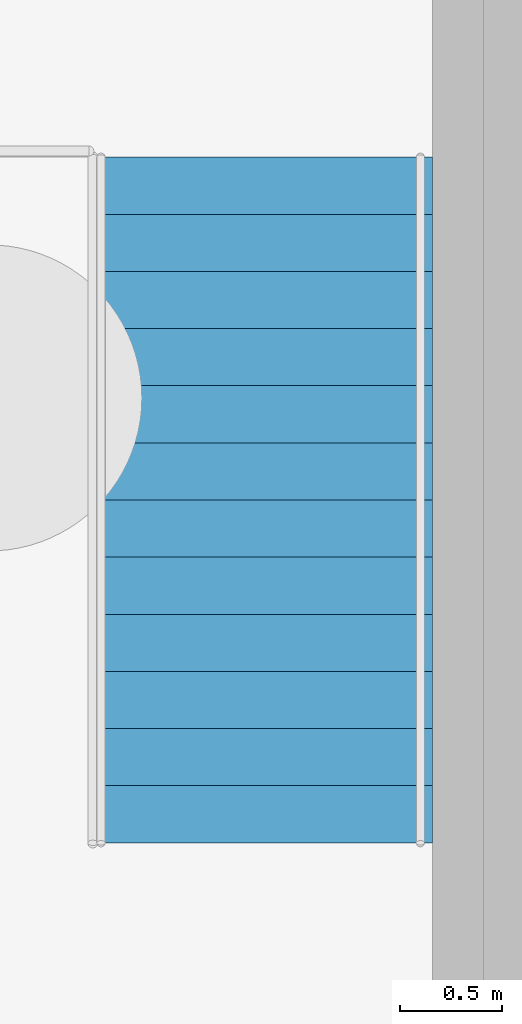
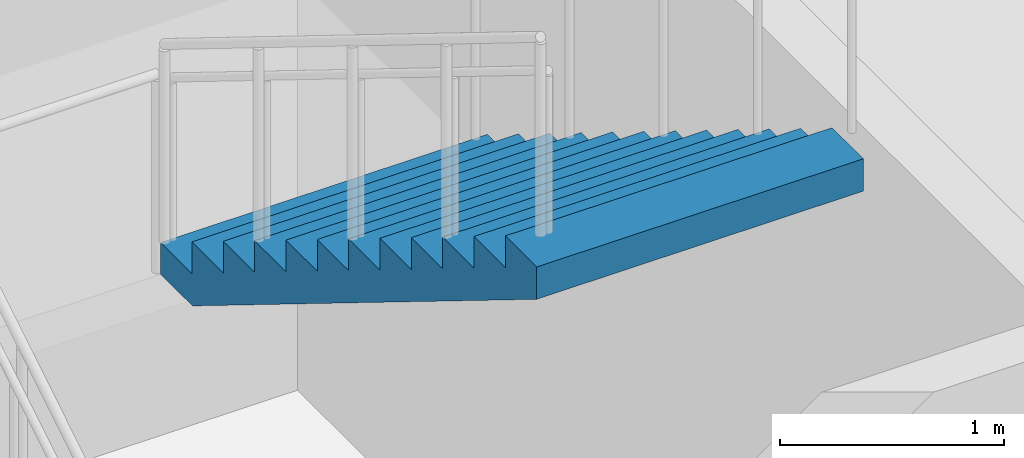
# One storey, part 14 of 28: 1 stair flight, 1 element without a shape of its own.
"""IFC4 building model written with IfcOpenShell, lengths in metres."""

from ifc_helpers import new_model, si_unit, direction, frame, origin, place, context, subcontext, project, spatial, triangles, material, type_object, element, aggregate, save


model = new_model("IFC4")

# Units and contexts
model_context = context("Model", 3, precision=1e-05, world=origin(), true_north=direction((0.0, 1.0)))
body_context = subcontext(model_context, "Body", "Model", "MODEL_VIEW")
ifc_project = project(units=[si_unit("LENGTHUNIT", "METRE"), si_unit("AREAUNIT", "SQUARE_METRE"), si_unit("VOLUMEUNIT", "CUBIC_METRE"), si_unit("PLANEANGLEUNIT", "RADIAN"), si_unit("MASSUNIT", "GRAM", prefix="KILO")], contexts=[model_context])

# Site, building, storey
site_placement = place(None, origin())
site = spatial("IfcSite", under=ifc_project, at=site_placement, CompositionType="ELEMENT")
building_placement = place(site_placement, origin())
building = spatial("IfcBuilding", under=site, at=building_placement, Name="Orbita Commons", CompositionType="ELEMENT")
storey_placement = place(building_placement, frame((0.0, 0.0, -9.0)))
storey = spatial("IfcBuildingStorey", under=building, at=storey_placement, Name="L-02", CompositionType="ELEMENT", Elevation=-9.0)

# Stair, stair flight
ifc_material_1 = material(Name="Precast concrete C40/50", Category="concrete")
stair_type = type_object("IfcStairType", Name="Podium exit stair 2 flights 13 risers 173", PredefinedType="HALF_TURN_STAIR", material=ifc_material_1)
stair_placement = place(storey_placement, origin())
stair = element("IfcStair", 1, at=stair_placement, inside=storey, type_object=stair_type, Name="Podium exit stair PS1 L-02", PredefinedType="HALF_TURN_STAIR")
ifc_material_2 = material(Name="Precast concrete C40/50", Category="concrete")
stair_flight_type = type_object("IfcStairFlightType", Name="Podium stair flight 13 risers 173 x 1685", PredefinedType="STRAIGHT", material=ifc_material_2)
stair_flight_placement = place(storey_placement, frame((10.4326171875, 33.179931640625, 2.25), z_axis=(0.0, 0.0, 1.0), x_axis=(0.0, -1.0, 0.0)))
stair_flight = element("IfcStairFlight", 2, at=stair_flight_placement, type_object=stair_flight_type, Name="PS1 flight 2", NumberOfRisers=13, NumberOfTreads=12, PredefinedType="STRAIGHT", RiserHeight=0.173076923, TreadLength=0.28, context=body_context, shape_type="Tessellation", body=[
    triangles([(0.0, 0.842529, 0.0), (0.0, 0.842529, 0.021635), (0.0, 0.702108, 0.021635), (0.0, 0.702108, 0.0), (0.0, 0.561686, 0.021635), (0.0, 0.561686, 0.0), (0.0, 0.421265, 0.021635), (0.0, 0.421265, 0.0), (0.0, 0.280843, 0.021635), (0.0, 0.280843, 0.0), (0.0, 0.140422, 0.021635), (0.0, 0.140422, 0.0), (0.0, 0.0, 0.021635), (0.0, 0.0, 0.0), (0.0, -0.140422, 0.021635), (0.0, -0.140422, 0.0), (0.0, -0.280843, 0.021635), (0.0, -0.280843, 0.0), (0.0, -0.421265, 0.021635), (0.0, -0.421265, 0.0), (0.0, -0.561686, 0.021635), (0.0, -0.561686, 0.0), (0.0, -0.702108, 0.021635), (0.0, -0.702108, 0.0), (0.0, -0.842529, 0.021635), (0.0, -0.842529, 0.0), (0.0, 0.842529, 0.043269), (0.0, 0.702108, 0.043269), (0.0, 0.561686, 0.043269), (0.0, 0.421265, 0.043269), (0.0, 0.280843, 0.043269), (0.0, 0.140422, 0.043269), (0.0, 0.0, 0.043269), (0.0, -0.140422, 0.043269), (0.0, -0.280843, 0.043269), (0.0, -0.421265, 0.043269), (0.0, -0.561686, 0.043269), (0.0, -0.702108, 0.043269), (0.0, -0.842529, 0.043269), (0.0, 0.842529, 0.064904), (0.0, 0.702108, 0.064904), (0.0, 0.561686, 0.064904), (0.0, 0.421265, 0.064904), (0.0, 0.280843, 0.064904), (0.0, 0.140422, 0.064904), (0.0, 0.0, 0.064904), (0.0, -0.140422, 0.064904), (0.0, -0.280843, 0.064904), (0.0, -0.421265, 0.064904), (0.0, -0.561686, 0.064904), (0.0, -0.702108, 0.064904), (0.0, -0.842529, 0.064904), (0.0, 0.842529, 0.086538), (0.0, 0.702108, 0.086538), (0.0, 0.561686, 0.086538), (0.0, 0.421265, 0.086538), (0.0, 0.280843, 0.086538), (0.0, 0.140422, 0.086538), (0.0, 0.0, 0.086538), (0.0, -0.140422, 0.086538), (0.0, -0.280843, 0.086538), (0.0, -0.421265, 0.086538), (0.0, -0.561686, 0.086538), (0.0, -0.702108, 0.086538), (0.0, -0.842529, 0.086538), (0.0, 0.842529, 0.108173), (0.0, 0.702108, 0.108173), (0.0, 0.561686, 0.108173), (0.0, 0.421265, 0.108173), (0.0, 0.280843, 0.108173), (0.0, 0.140422, 0.108173), (0.0, 0.0, 0.108173), (0.0, -0.140422, 0.108173), (0.0, -0.280843, 0.108173), (0.0, -0.421265, 0.108173), (0.0, -0.561686, 0.108173), (0.0, -0.702108, 0.108173), (0.0, -0.842529, 0.108173), (0.0, 0.842529, 0.129808), (0.0, 0.702108, 0.129808), (0.0, 0.561686, 0.129808), (0.0, 0.421265, 0.129808), (0.0, 0.280843, 0.129808), (0.0, 0.140422, 0.129808), (0.0, 0.0, 0.129808), (0.0, -0.140422, 0.129808), (0.0, -0.280843, 0.129808), (0.0, -0.421265, 0.129808), (0.0, -0.561686, 0.129808), (0.0, -0.702108, 0.129808), (0.0, -0.842529, 0.129808), (0.0, 0.842529, 0.151442), (0.0, 0.702108, 0.151442), (0.0, 0.561686, 0.151442), (0.0, 0.421265, 0.151442), (0.0, 0.280843, 0.151442), (0.0, 0.140422, 0.151442), (0.0, 0.0, 0.151442), (0.0, -0.140422, 0.151442), (0.0, -0.280843, 0.151442), (0.0, -0.421265, 0.151442), (0.0, -0.561686, 0.151442), (0.0, -0.702108, 0.151442), (0.0, -0.842529, 0.151442), (0.0, 0.842529, 0.173077), (0.0, 0.702108, 0.173077), (0.0, 0.561686, 0.173077), (0.0, 0.421265, 0.173077), (0.0, 0.280843, 0.173077), (0.0, 0.140422, 0.173077), (0.0, 0.0, 0.173077), (0.0, -0.140422, 0.173077), (0.0, -0.280843, 0.173077), (0.0, -0.421265, 0.173077), (0.0, -0.561686, 0.173077), (0.0, -0.702108, 0.173077), (0.0, -0.842529, 0.173077), (0.28, 0.842529, 0.173077), (0.28, 0.702108, 0.173077), (0.28, 0.561686, 0.173077), (0.28, 0.421265, 0.173077), (0.28, 0.280843, 0.173077), (0.28, 0.140422, 0.173077), (0.28, 0.0, 0.173077), (0.28, -0.140422, 0.173077), (0.28, -0.280843, 0.173077), (0.28, -0.421265, 0.173077), (0.28, -0.561686, 0.173077), (0.28, -0.702108, 0.173077), (0.28, -0.842529, 0.173077), (0.28, 0.842529, 0.346154), (0.28, 0.702108, 0.346154), (0.28, 0.561686, 0.346154), (0.28, 0.421265, 0.346154), (0.28, 0.280843, 0.346154), (0.28, 0.140422, 0.346154), (0.28, 0.0, 0.346154), (0.28, -0.140422, 0.346154), (0.28, -0.280843, 0.346154), (0.28, -0.421265, 0.346154), (0.28, -0.561686, 0.346154), (0.28, -0.702108, 0.346154), (0.28, -0.842529, 0.346154), (0.56, 0.842529, 0.346154), (0.56, 0.702108, 0.346154), (0.56, 0.561686, 0.346154), (0.56, 0.421265, 0.346154), (0.56, 0.280843, 0.346154), (0.56, 0.140422, 0.346154), (0.56, 0.0, 0.346154), (0.56, -0.140422, 0.346154), (0.56, -0.280843, 0.346154), (0.56, -0.421265, 0.346154), (0.56, -0.561686, 0.346154), (0.56, -0.702108, 0.346154), (0.56, -0.842529, 0.346154), (0.56, 0.842529, 0.519231), (0.56, 0.702108, 0.519231), (0.56, 0.561686, 0.519231), (0.56, 0.421265, 0.519231), (0.56, 0.280843, 0.519231), (0.56, 0.140422, 0.519231), (0.56, 0.0, 0.519231), (0.56, -0.140422, 0.519231), (0.56, -0.280843, 0.519231), (0.56, -0.421265, 0.519231), (0.56, -0.561686, 0.519231), (0.56, -0.702108, 0.519231), (0.56, -0.842529, 0.519231), (0.84, 0.842529, 0.519231), (0.84, 0.702108, 0.519231), (0.84, 0.561686, 0.519231), (0.84, 0.421265, 0.519231), (0.84, 0.280843, 0.519231), (0.84, 0.140422, 0.519231), (0.84, 0.0, 0.519231), (0.84, -0.140422, 0.519231), (0.84, -0.280843, 0.519231), (0.84, -0.421265, 0.519231), (0.84, -0.561686, 0.519231), (0.84, -0.702108, 0.519231), (0.84, -0.842529, 0.519231), (0.84, 0.842529, 0.692308), (0.84, 0.702108, 0.692308), (0.84, 0.561686, 0.692308), (0.84, 0.421265, 0.692308), (0.84, 0.280843, 0.692308), (0.84, 0.140422, 0.692308), (0.84, 0.0, 0.692308), (0.84, -0.140422, 0.692308), (0.84, -0.280843, 0.692308), (0.84, -0.421265, 0.692308), (0.84, -0.561686, 0.692308), (0.84, -0.702108, 0.692308), (0.84, -0.842529, 0.692308), (1.12, 0.842529, 0.692308), (1.12, 0.702108, 0.692308), (1.12, 0.561686, 0.692308), (1.12, 0.421265, 0.692308), (1.12, 0.280843, 0.692308), (1.12, 0.140422, 0.692308), (1.12, 0.0, 0.692308), (1.12, -0.140422, 0.692308), (1.12, -0.280843, 0.692308), (1.12, -0.421265, 0.692308), (1.12, -0.561686, 0.692308), (1.12, -0.702108, 0.692308), (1.12, -0.842529, 0.692308), (1.12, 0.842529, 0.865385), (1.12, 0.702108, 0.865385), (1.12, 0.561686, 0.865385), (1.12, 0.421265, 0.865385), (1.12, 0.280843, 0.865385), (1.12, 0.140422, 0.865385), (1.12, 0.0, 0.865385), (1.12, -0.140422, 0.865385), (1.12, -0.280843, 0.865385), (1.12, -0.421265, 0.865385), (1.12, -0.561686, 0.865385), (1.12, -0.702108, 0.865385), (1.12, -0.842529, 0.865385), (1.4, 0.842529, 0.865385), (1.4, 0.702108, 0.865385), (1.4, 0.561686, 0.865385), (1.4, 0.421265, 0.865385), (1.4, 0.280843, 0.865385), (1.4, 0.140422, 0.865385), (1.4, 0.0, 0.865385), (1.4, -0.140422, 0.865385), (1.4, -0.280843, 0.865385), (1.4, -0.421265, 0.865385), (1.4, -0.561686, 0.865385), (1.4, -0.702108, 0.865385), (1.4, -0.842529, 0.865385), (1.4, 0.842529, 1.038462), (1.4, 0.702108, 1.038462), (1.4, 0.561686, 1.038462), (1.4, 0.421265, 1.038462), (1.4, 0.280843, 1.038462), (1.4, 0.140422, 1.038462), (1.4, 0.0, 1.038462), (1.4, -0.140422, 1.038462), (1.4, -0.280843, 1.038462), (1.4, -0.421265, 1.038462), (1.4, -0.561686, 1.038462), (1.4, -0.702108, 1.038462), (1.4, -0.842529, 1.038462), (1.68, 0.842529, 1.038462), (1.68, 0.702108, 1.038462), (1.68, 0.561686, 1.038462), (1.68, 0.421265, 1.038462), (1.68, 0.280843, 1.038462), (1.68, 0.140422, 1.038462), (1.68, 0.0, 1.038462), (1.68, -0.140422, 1.038462), (1.68, -0.280843, 1.038462), (1.68, -0.421265, 1.038462), (1.68, -0.561686, 1.038462), (1.68, -0.702108, 1.038462), (1.68, -0.842529, 1.038462), (1.68, 0.842529, 1.211538), (1.68, 0.702108, 1.211538), (1.68, 0.561686, 1.211538), (1.68, 0.421265, 1.211538), (1.68, 0.280843, 1.211538), (1.68, 0.140422, 1.211538), (1.68, 0.0, 1.211538), (1.68, -0.140422, 1.211538), (1.68, -0.280843, 1.211538), (1.68, -0.421265, 1.211538), (1.68, -0.561686, 1.211538), (1.68, -0.702108, 1.211538), (1.68, -0.842529, 1.211538), (1.96, 0.842529, 1.211538), (1.96, 0.702108, 1.211538), (1.96, 0.561686, 1.211538), (1.96, 0.421265, 1.211538), (1.96, 0.280843, 1.211538), (1.96, 0.140422, 1.211538), (1.96, 0.0, 1.211538), (1.96, -0.140422, 1.211538), (1.96, -0.280843, 1.211538), (1.96, -0.421265, 1.211538), (1.96, -0.561686, 1.211538), (1.96, -0.702108, 1.211538), (1.96, -0.842529, 1.211538), (1.96, 0.842529, 1.384615), (1.96, 0.702108, 1.384615), (1.96, 0.561686, 1.384615), (1.96, 0.421265, 1.384615), (1.96, 0.280843, 1.384615), (1.96, 0.140422, 1.384615), (1.96, 0.0, 1.384615), (1.96, -0.140422, 1.384615), (1.96, -0.280843, 1.384615), (1.96, -0.421265, 1.384615), (1.96, -0.561686, 1.384615), (1.96, -0.702108, 1.384615), (1.96, -0.842529, 1.384615), (2.24, 0.842529, 1.384615), (2.24, 0.702108, 1.384615), (2.24, 0.561686, 1.384615), (2.24, 0.421265, 1.384615), (2.24, 0.280843, 1.384615), (2.24, 0.140422, 1.384615), (2.24, 0.0, 1.384615), (2.24, -0.140422, 1.384615), (2.24, -0.280843, 1.384615), (2.24, -0.421265, 1.384615), (2.24, -0.561686, 1.384615), (2.24, -0.702108, 1.384615), (2.24, -0.842529, 1.384615), (2.24, 0.842529, 1.557692), (2.24, 0.702108, 1.557692), (2.24, 0.561686, 1.557692), (2.24, 0.421265, 1.557692), (2.24, 0.280843, 1.557692), (2.24, 0.140422, 1.557692), (2.24, 0.0, 1.557692), (2.24, -0.140422, 1.557692), (2.24, -0.280843, 1.557692), (2.24, -0.421265, 1.557692), (2.24, -0.561686, 1.557692), (2.24, -0.702108, 1.557692), (2.24, -0.842529, 1.557692), (2.52, 0.842529, 1.557692), (2.52, 0.702108, 1.557692), (2.52, 0.561686, 1.557692), (2.52, 0.421265, 1.557692), (2.52, 0.280843, 1.557692), (2.52, 0.140422, 1.557692), (2.52, 0.0, 1.557692), (2.52, -0.140422, 1.557692), (2.52, -0.280843, 1.557692), (2.52, -0.421265, 1.557692), (2.52, -0.561686, 1.557692), (2.52, -0.702108, 1.557692), (2.52, -0.842529, 1.557692), (2.52, 0.842529, 1.730769), (2.52, 0.702108, 1.730769), (2.52, 0.561686, 1.730769), (2.52, 0.421265, 1.730769), (2.52, 0.280843, 1.730769), (2.52, 0.140422, 1.730769), (2.52, 0.0, 1.730769), (2.52, -0.140422, 1.730769), (2.52, -0.280843, 1.730769), (2.52, -0.421265, 1.730769), (2.52, -0.561686, 1.730769), (2.52, -0.702108, 1.730769), (2.52, -0.842529, 1.730769), (2.8, 0.842529, 1.730769), (2.8, 0.702108, 1.730769), (2.8, 0.561686, 1.730769), (2.8, 0.421265, 1.730769), (2.8, 0.280843, 1.730769), (2.8, 0.140422, 1.730769), (2.8, 0.0, 1.730769), (2.8, -0.140422, 1.730769), (2.8, -0.280843, 1.730769), (2.8, -0.421265, 1.730769), (2.8, -0.561686, 1.730769), (2.8, -0.702108, 1.730769), (2.8, -0.842529, 1.730769), (2.8, 0.842529, 1.903846), (2.8, 0.702108, 1.903846), (2.8, 0.561686, 1.903846), (2.8, 0.421265, 1.903846), (2.8, 0.280843, 1.903846), (2.8, 0.140422, 1.903846), (2.8, 0.0, 1.903846), (2.8, -0.140422, 1.903846), (2.8, -0.280843, 1.903846), (2.8, -0.421265, 1.903846), (2.8, -0.561686, 1.903846), (2.8, -0.702108, 1.903846), (2.8, -0.842529, 1.903846), (3.08, 0.842529, 1.903846), (3.08, 0.702108, 1.903846), (3.08, 0.561686, 1.903846), (3.08, 0.421265, 1.903846), (3.08, 0.280843, 1.903846), (3.08, 0.140422, 1.903846), (3.08, 0.0, 1.903846), (3.08, -0.140422, 1.903846), (3.08, -0.280843, 1.903846), (3.08, -0.421265, 1.903846), (3.08, -0.561686, 1.903846), (3.08, -0.702108, 1.903846), (3.08, -0.842529, 1.903846), (3.08, 0.842529, 2.076923), (3.08, 0.702108, 2.076923), (3.08, 0.561686, 2.076923), (3.08, 0.421265, 2.076923), (3.08, 0.280843, 2.076923), (3.08, 0.140422, 2.076923), (3.08, 0.0, 2.076923), (3.08, -0.140422, 2.076923), (3.08, -0.280843, 2.076923), (3.08, -0.421265, 2.076923), (3.08, -0.561686, 2.076923), (3.08, -0.702108, 2.076923), (3.08, -0.842529, 2.076923), (3.36, 0.842529, 2.076923), (3.36, 0.702108, 2.076923), (3.36, 0.561686, 2.076923), (3.36, 0.421265, 2.076923), (3.36, 0.280843, 2.076923), (3.36, 0.140422, 2.076923), (3.36, 0.0, 2.076923), (3.36, -0.140422, 2.076923), (3.36, -0.280843, 2.076923), (3.36, -0.421265, 2.076923), (3.36, -0.561686, 2.076923), (3.36, -0.702108, 2.076923), (3.36, -0.842529, 2.076923), (3.36, 0.842529, 2.054895), (3.36, 0.702108, 2.054895), (3.36, 0.561686, 2.054895), (3.36, 0.421265, 2.054895), (3.36, 0.280843, 2.054895), (3.36, 0.140422, 2.054895), (3.36, 0.0, 2.054895), (3.36, -0.140422, 2.054895), (3.36, -0.280843, 2.054895), (3.36, -0.421265, 2.054895), (3.36, -0.561686, 2.054895), (3.36, -0.702108, 2.054895), (3.36, -0.842529, 2.054895), (3.36, 0.842529, 2.032866), (3.36, 0.702108, 2.032866), (3.36, 0.561686, 2.032866), (3.36, 0.421265, 2.032866), (3.36, 0.280843, 2.032866), (3.36, 0.140422, 2.032866), (3.36, 0.0, 2.032866), (3.36, -0.140422, 2.032866), (3.36, -0.280843, 2.032866), (3.36, -0.421265, 2.032866), (3.36, -0.561686, 2.032866), (3.36, -0.702108, 2.032866), (3.36, -0.842529, 2.032866), (3.36, 0.842529, 2.010837), (3.36, 0.702108, 2.010837), (3.36, 0.561686, 2.010837), (3.36, 0.421265, 2.010837), (3.36, 0.280843, 2.010837), (3.36, 0.140422, 2.010837), (3.36, 0.0, 2.010837), (3.36, -0.140422, 2.010837), (3.36, -0.280843, 2.010837), (3.36, -0.421265, 2.010837), (3.36, -0.561686, 2.010837), (3.36, -0.702108, 2.010837), (3.36, -0.842529, 2.010837), (3.36, 0.842529, 1.988809), (3.36, 0.702108, 1.988809), (3.36, 0.561686, 1.988809), (3.36, 0.421265, 1.988809), (3.36, 0.280843, 1.988809), (3.36, 0.140422, 1.988809), (3.36, 0.0, 1.988809), (3.36, -0.140422, 1.988809), (3.36, -0.280843, 1.988809), (3.36, -0.421265, 1.988809), (3.36, -0.561686, 1.988809), (3.36, -0.702108, 1.988809), (3.36, -0.842529, 1.988809), (3.36, 0.842529, 1.96678), (3.36, 0.702108, 1.96678), (3.36, 0.561686, 1.96678), (3.36, 0.421265, 1.96678), (3.36, 0.280843, 1.96678), (3.36, 0.140422, 1.96678), (3.36, 0.0, 1.96678), (3.36, -0.140422, 1.96678), (3.36, -0.280843, 1.96678), (3.36, -0.421265, 1.96678), (3.36, -0.561686, 1.96678), (3.36, -0.702108, 1.96678), (3.36, -0.842529, 1.96678), (3.36, 0.842529, 1.944752), (3.36, 0.702108, 1.944752), (3.36, 0.561686, 1.944752), (3.36, 0.421265, 1.944752), (3.36, 0.280843, 1.944752), (3.36, 0.140422, 1.944752), (3.36, 0.0, 1.944752), (3.36, -0.140422, 1.944752), (3.36, -0.280843, 1.944752), (3.36, -0.421265, 1.944752), (3.36, -0.561686, 1.944752), (3.36, -0.702108, 1.944752), (3.36, -0.842529, 1.944752), (3.36, 0.842529, 1.922723), (3.36, 0.702108, 1.922723), (3.36, 0.561686, 1.922723), (3.36, 0.421265, 1.922723), (3.36, 0.280843, 1.922723), (3.36, 0.140422, 1.922723), (3.36, 0.0, 1.922723), (3.36, -0.140422, 1.922723), (3.36, -0.280843, 1.922723), (3.36, -0.421265, 1.922723), (3.36, -0.561686, 1.922723), (3.36, -0.702108, 1.922723), (3.36, -0.842529, 1.922723), (3.36, 0.842529, 1.900695), (3.36, 0.702108, 1.900695), (3.36, 0.561686, 1.900695), (3.36, 0.421265, 1.900695), (3.36, 0.280843, 1.900695), (3.36, 0.140422, 1.900695), (3.36, 0.0, 1.900695), (3.36, -0.140422, 1.900695), (3.36, -0.280843, 1.900695), (3.36, -0.421265, 1.900695), (3.36, -0.561686, 1.900695), (3.36, -0.702108, 1.900695), (3.36, -0.842529, 1.900695), (0.285099, 0.842529, 0.0), (0.285099, 0.702108, 0.0), (0.285099, 0.561686, 0.0), (0.285099, 0.421265, 0.0), (0.285099, 0.280843, 0.0), (0.285099, 0.140422, 0.0), (0.285099, 0.0, 0.0), (0.285099, -0.140422, 0.0), (0.285099, -0.280843, 0.0), (0.285099, -0.421265, 0.0), (0.285099, -0.561686, 0.0), (0.285099, -0.702108, 0.0), (0.285099, -0.842529, 0.0)], [[3, 2, 1], [4, 3, 1], [5, 3, 4], [6, 5, 4], [7, 5, 6], [8, 7, 6], [9, 7, 8], [10, 9, 8], [11, 9, 10], [12, 11, 10], [13, 11, 12], [14, 13, 12], [15, 13, 14], [16, 15, 14], [17, 15, 16], [18, 17, 16], [19, 17, 18], [20, 19, 18], [21, 19, 20], [22, 21, 20], [23, 21, 22], [24, 23, 22], [25, 23, 24], [26, 25, 24], [28, 27, 2], [3, 28, 2], [29, 28, 3], [5, 29, 3], [30, 29, 5], [7, 30, 5], [31, 30, 7], [9, 31, 7], [32, 31, 9], [11, 32, 9], [33, 32, 11], [13, 33, 11], [34, 33, 13], [15, 34, 13], [35, 34, 15], [17, 35, 15], [36, 35, 17], [19, 36, 17], [37, 36, 19], [21, 37, 19], [38, 37, 21], [23, 38, 21], [39, 38, 23], [25, 39, 23], [41, 40, 27], [28, 41, 27], [42, 41, 28], [29, 42, 28], [43, 42, 29], [30, 43, 29], [44, 43, 30], [31, 44, 30], [45, 44, 31], [32, 45, 31], [46, 45, 32], [33, 46, 32], [47, 46, 33], [34, 47, 33], [48, 47, 34], [35, 48, 34], [49, 48, 35], [36, 49, 35], [50, 49, 36], [37, 50, 36], [51, 50, 37], [38, 51, 37], [52, 51, 38], [39, 52, 38], [54, 53, 40], [41, 54, 40], [55, 54, 41], [42, 55, 41], [56, 55, 42], [43, 56, 42], [57, 56, 43], [44, 57, 43], [58, 57, 44], [45, 58, 44], [59, 58, 45], [46, 59, 45], [60, 59, 46], [47, 60, 46], [61, 60, 47], [48, 61, 47], [62, 61, 48], [49, 62, 48], [63, 62, 49], [50, 63, 49], [64, 63, 50], [51, 64, 50], [65, 64, 51], [52, 65, 51], [67, 66, 53], [54, 67, 53], [68, 67, 54], [55, 68, 54], [69, 68, 55], [56, 69, 55], [70, 69, 56], [57, 70, 56], [71, 70, 57], [58, 71, 57], [72, 71, 58], [59, 72, 58], [73, 72, 59], [60, 73, 59], [74, 73, 60], [61, 74, 60], [75, 74, 61], [62, 75, 61], [76, 75, 62], [63, 76, 62], [77, 76, 63], [64, 77, 63], [78, 77, 64], [65, 78, 64], [80, 79, 66], [67, 80, 66], [81, 80, 67], [68, 81, 67], [82, 81, 68], [69, 82, 68], [83, 82, 69], [70, 83, 69], [84, 83, 70], [71, 84, 70], [85, 84, 71], [72, 85, 71], [86, 85, 72], [73, 86, 72], [87, 86, 73], [74, 87, 73], [88, 87, 74], [75, 88, 74], [89, 88, 75], [76, 89, 75], [90, 89, 76], [77, 90, 76], [91, 90, 77], [78, 91, 77], [93, 92, 79], [80, 93, 79], [94, 93, 80], [81, 94, 80], [95, 94, 81], [82, 95, 81], [96, 95, 82], [83, 96, 82], [97, 96, 83], [84, 97, 83], [98, 97, 84], [85, 98, 84], [99, 98, 85], [86, 99, 85], [100, 99, 86], [87, 100, 86], [101, 100, 87], [88, 101, 87], [102, 101, 88], [89, 102, 88], [103, 102, 89], [90, 103, 89], [104, 103, 90], [91, 104, 90], [106, 105, 92], [93, 106, 92], [107, 106, 93], [94, 107, 93], [108, 107, 94], [95, 108, 94], [109, 108, 95], [96, 109, 95], [110, 109, 96], [97, 110, 96], [111, 110, 97], [98, 111, 97], [112, 111, 98], [99, 112, 98], [113, 112, 99], [100, 113, 99], [114, 113, 100], [101, 114, 100], [115, 114, 101], [102, 115, 101], [116, 115, 102], [103, 116, 102], [117, 116, 103], [104, 117, 103], [119, 118, 105], [106, 119, 105], [120, 119, 106], [107, 120, 106], [121, 120, 107], [108, 121, 107], [122, 121, 108], [109, 122, 108], [123, 122, 109], [110, 123, 109], [124, 123, 110], [111, 124, 110], [125, 124, 111], [112, 125, 111], [126, 125, 112], [113, 126, 112], [127, 126, 113], [114, 127, 113], [128, 127, 114], [115, 128, 114], [129, 128, 115], [116, 129, 115], [130, 129, 116], [117, 130, 116], [132, 131, 118], [119, 132, 118], [133, 132, 119], [120, 133, 119], [134, 133, 120], [121, 134, 120], [135, 134, 121], [122, 135, 121], [136, 135, 122], [123, 136, 122], [137, 136, 123], [124, 137, 123], [138, 137, 124], [125, 138, 124], [139, 138, 125], [126, 139, 125], [140, 139, 126], [127, 140, 126], [141, 140, 127], [128, 141, 127], [142, 141, 128], [129, 142, 128], [143, 142, 129], [130, 143, 129], [145, 144, 131], [132, 145, 131], [146, 145, 132], [133, 146, 132], [147, 146, 133], [134, 147, 133], [148, 147, 134], [135, 148, 134], [149, 148, 135], [136, 149, 135], [150, 149, 136], [137, 150, 136], [151, 150, 137], [138, 151, 137], [152, 151, 138], [139, 152, 138], [153, 152, 139], [140, 153, 139], [154, 153, 140], [141, 154, 140], [155, 154, 141], [142, 155, 141], [156, 155, 142], [143, 156, 142], [158, 157, 144], [145, 158, 144], [159, 158, 145], [146, 159, 145], [160, 159, 146], [147, 160, 146], [161, 160, 147], [148, 161, 147], [162, 161, 148], [149, 162, 148], [163, 162, 149], [150, 163, 149], [164, 163, 150], [151, 164, 150], [165, 164, 151], [152, 165, 151], [166, 165, 152], [153, 166, 152], [167, 166, 153], [154, 167, 153], [168, 167, 154], [155, 168, 154], [169, 168, 155], [156, 169, 155], [171, 170, 157], [158, 171, 157], [172, 171, 158], [159, 172, 158], [173, 172, 159], [160, 173, 159], [174, 173, 160], [161, 174, 160], [175, 174, 161], [162, 175, 161], [176, 175, 162], [163, 176, 162], [177, 176, 163], [164, 177, 163], [178, 177, 164], [165, 178, 164], [179, 178, 165], [166, 179, 165], [180, 179, 166], [167, 180, 166], [181, 180, 167], [168, 181, 167], [182, 181, 168], [169, 182, 168], [184, 183, 170], [171, 184, 170], [185, 184, 171], [172, 185, 171], [186, 185, 172], [173, 186, 172], [187, 186, 173], [174, 187, 173], [188, 187, 174], [175, 188, 174], [189, 188, 175], [176, 189, 175], [190, 189, 176], [177, 190, 176], [191, 190, 177], [178, 191, 177], [192, 191, 178], [179, 192, 178], [193, 192, 179], [180, 193, 179], [194, 193, 180], [181, 194, 180], [195, 194, 181], [182, 195, 181], [197, 196, 183], [184, 197, 183], [198, 197, 184], [185, 198, 184], [199, 198, 185], [186, 199, 185], [200, 199, 186], [187, 200, 186], [201, 200, 187], [188, 201, 187], [202, 201, 188], [189, 202, 188], [203, 202, 189], [190, 203, 189], [204, 203, 190], [191, 204, 190], [205, 204, 191], [192, 205, 191], [206, 205, 192], [193, 206, 192], [207, 206, 193], [194, 207, 193], [208, 207, 194], [195, 208, 194], [210, 209, 196], [197, 210, 196], [211, 210, 197], [198, 211, 197], [212, 211, 198], [199, 212, 198], [213, 212, 199], [200, 213, 199], [214, 213, 200], [201, 214, 200], [215, 214, 201], [202, 215, 201], [216, 215, 202], [203, 216, 202], [217, 216, 203], [204, 217, 203], [218, 217, 204], [205, 218, 204], [219, 218, 205], [206, 219, 205], [220, 219, 206], [207, 220, 206], [221, 220, 207], [208, 221, 207], [223, 222, 209], [210, 223, 209], [224, 223, 210], [211, 224, 210], [225, 224, 211], [212, 225, 211], [226, 225, 212], [213, 226, 212], [227, 226, 213], [214, 227, 213], [228, 227, 214], [215, 228, 214], [229, 228, 215], [216, 229, 215], [230, 229, 216], [217, 230, 216], [231, 230, 217], [218, 231, 217], [232, 231, 218], [219, 232, 218], [233, 232, 219], [220, 233, 219], [234, 233, 220], [221, 234, 220], [236, 235, 222], [223, 236, 222], [237, 236, 223], [224, 237, 223], [238, 237, 224], [225, 238, 224], [239, 238, 225], [226, 239, 225], [240, 239, 226], [227, 240, 226], [241, 240, 227], [228, 241, 227], [242, 241, 228], [229, 242, 228], [243, 242, 229], [230, 243, 229], [244, 243, 230], [231, 244, 230], [245, 244, 231], [232, 245, 231], [246, 245, 232], [233, 246, 232], [247, 246, 233], [234, 247, 233], [249, 248, 235], [236, 249, 235], [250, 249, 236], [237, 250, 236], [251, 250, 237], [238, 251, 237], [252, 251, 238], [239, 252, 238], [253, 252, 239], [240, 253, 239], [254, 253, 240], [241, 254, 240], [255, 254, 241], [242, 255, 241], [256, 255, 242], [243, 256, 242], [257, 256, 243], [244, 257, 243], [258, 257, 244], [245, 258, 244], [259, 258, 245], [246, 259, 245], [260, 259, 246], [247, 260, 246], [262, 261, 248], [249, 262, 248], [263, 262, 249], [250, 263, 249], [264, 263, 250], [251, 264, 250], [265, 264, 251], [252, 265, 251], [266, 265, 252], [253, 266, 252], [267, 266, 253], [254, 267, 253], [268, 267, 254], [255, 268, 254], [269, 268, 255], [256, 269, 255], [270, 269, 256], [257, 270, 256], [271, 270, 257], [258, 271, 257], [272, 271, 258], [259, 272, 258], [273, 272, 259], [260, 273, 259], [275, 274, 261], [262, 275, 261], [276, 275, 262], [263, 276, 262], [277, 276, 263], [264, 277, 263], [278, 277, 264], [265, 278, 264], [279, 278, 265], [266, 279, 265], [280, 279, 266], [267, 280, 266], [281, 280, 267], [268, 281, 267], [282, 281, 268], [269, 282, 268], [283, 282, 269], [270, 283, 269], [284, 283, 270], [271, 284, 270], [285, 284, 271], [272, 285, 271], [286, 285, 272], [273, 286, 272], [288, 287, 274], [275, 288, 274], [289, 288, 275], [276, 289, 275], [290, 289, 276], [277, 290, 276], [291, 290, 277], [278, 291, 277], [292, 291, 278], [279, 292, 278], [293, 292, 279], [280, 293, 279], [294, 293, 280], [281, 294, 280], [295, 294, 281], [282, 295, 281], [296, 295, 282], [283, 296, 282], [297, 296, 283], [284, 297, 283], [298, 297, 284], [285, 298, 284], [299, 298, 285], [286, 299, 285], [301, 300, 287], [288, 301, 287], [302, 301, 288], [289, 302, 288], [303, 302, 289], [290, 303, 289], [304, 303, 290], [291, 304, 290], [305, 304, 291], [292, 305, 291], [306, 305, 292], [293, 306, 292], [307, 306, 293], [294, 307, 293], [308, 307, 294], [295, 308, 294], [309, 308, 295], [296, 309, 295], [310, 309, 296], [297, 310, 296], [311, 310, 297], [298, 311, 297], [312, 311, 298], [299, 312, 298], [314, 313, 300], [301, 314, 300], [315, 314, 301], [302, 315, 301], [316, 315, 302], [303, 316, 302], [317, 316, 303], [304, 317, 303], [318, 317, 304], [305, 318, 304], [319, 318, 305], [306, 319, 305], [320, 319, 306], [307, 320, 306], [321, 320, 307], [308, 321, 307], [322, 321, 308], [309, 322, 308], [323, 322, 309], [310, 323, 309], [324, 323, 310], [311, 324, 310], [325, 324, 311], [312, 325, 311], [327, 326, 313], [314, 327, 313], [328, 327, 314], [315, 328, 314], [329, 328, 315], [316, 329, 315], [330, 329, 316], [317, 330, 316], [331, 330, 317], [318, 331, 317], [332, 331, 318], [319, 332, 318], [333, 332, 319], [320, 333, 319], [334, 333, 320], [321, 334, 320], [335, 334, 321], [322, 335, 321], [336, 335, 322], [323, 336, 322], [337, 336, 323], [324, 337, 323], [338, 337, 324], [325, 338, 324], [340, 339, 326], [327, 340, 326], [341, 340, 327], [328, 341, 327], [342, 341, 328], [329, 342, 328], [343, 342, 329], [330, 343, 329], [344, 343, 330], [331, 344, 330], [345, 344, 331], [332, 345, 331], [346, 345, 332], [333, 346, 332], [347, 346, 333], [334, 347, 333], [348, 347, 334], [335, 348, 334], [349, 348, 335], [336, 349, 335], [350, 349, 336], [337, 350, 336], [351, 350, 337], [338, 351, 337], [353, 352, 339], [340, 353, 339], [354, 353, 340], [341, 354, 340], [355, 354, 341], [342, 355, 341], [356, 355, 342], [343, 356, 342], [357, 356, 343], [344, 357, 343], [358, 357, 344], [345, 358, 344], [359, 358, 345], [346, 359, 345], [360, 359, 346], [347, 360, 346], [361, 360, 347], [348, 361, 347], [362, 361, 348], [349, 362, 348], [363, 362, 349], [350, 363, 349], [364, 363, 350], [351, 364, 350], [366, 365, 352], [353, 366, 352], [367, 366, 353], [354, 367, 353], [368, 367, 354], [355, 368, 354], [369, 368, 355], [356, 369, 355], [370, 369, 356], [357, 370, 356], [371, 370, 357], [358, 371, 357], [372, 371, 358], [359, 372, 358], [373, 372, 359], [360, 373, 359], [374, 373, 360], [361, 374, 360], [375, 374, 361], [362, 375, 361], [376, 375, 362], [363, 376, 362], [377, 376, 363], [364, 377, 363], [379, 378, 365], [366, 379, 365], [380, 379, 366], [367, 380, 366], [381, 380, 367], [368, 381, 367], [382, 381, 368], [369, 382, 368], [383, 382, 369], [370, 383, 369], [384, 383, 370], [371, 384, 370], [385, 384, 371], [372, 385, 371], [386, 385, 372], [373, 386, 372], [387, 386, 373], [374, 387, 373], [388, 387, 374], [375, 388, 374], [389, 388, 375], [376, 389, 375], [390, 389, 376], [377, 390, 376], [392, 391, 378], [379, 392, 378], [393, 392, 379], [380, 393, 379], [394, 393, 380], [381, 394, 380], [395, 394, 381], [382, 395, 381], [396, 395, 382], [383, 396, 382], [397, 396, 383], [384, 397, 383], [398, 397, 384], [385, 398, 384], [399, 398, 385], [386, 399, 385], [400, 399, 386], [387, 400, 386], [401, 400, 387], [388, 401, 387], [402, 401, 388], [389, 402, 388], [403, 402, 389], [390, 403, 389], [405, 404, 391], [392, 405, 391], [406, 405, 392], [393, 406, 392], [407, 406, 393], [394, 407, 393], [408, 407, 394], [395, 408, 394], [409, 408, 395], [396, 409, 395], [410, 409, 396], [397, 410, 396], [411, 410, 397], [398, 411, 397], [412, 411, 398], [399, 412, 398], [413, 412, 399], [400, 413, 399], [414, 413, 400], [401, 414, 400], [415, 414, 401], [402, 415, 401], [416, 415, 402], [403, 416, 402], [418, 417, 404], [405, 418, 404], [419, 418, 405], [406, 419, 405], [420, 419, 406], [407, 420, 406], [421, 420, 407], [408, 421, 407], [422, 421, 408], [409, 422, 408], [423, 422, 409], [410, 423, 409], [424, 423, 410], [411, 424, 410], [425, 424, 411], [412, 425, 411], [426, 425, 412], [413, 426, 412], [427, 426, 413], [414, 427, 413], [428, 427, 414], [415, 428, 414], [429, 428, 415], [416, 429, 415], [431, 430, 417], [418, 431, 417], [432, 431, 418], [419, 432, 418], [433, 432, 419], [420, 433, 419], [434, 433, 420], [421, 434, 420], [435, 434, 421], [422, 435, 421], [436, 435, 422], [423, 436, 422], [437, 436, 423], [424, 437, 423], [438, 437, 424], [425, 438, 424], [439, 438, 425], [426, 439, 425], [440, 439, 426], [427, 440, 426], [441, 440, 427], [428, 441, 427], [442, 441, 428], [429, 442, 428], [444, 443, 430], [431, 444, 430], [445, 444, 431], [432, 445, 431], [446, 445, 432], [433, 446, 432], [447, 446, 433], [434, 447, 433], [448, 447, 434], [435, 448, 434], [449, 448, 435], [436, 449, 435], [450, 449, 436], [437, 450, 436], [451, 450, 437], [438, 451, 437], [452, 451, 438], [439, 452, 438], [453, 452, 439], [440, 453, 439], [454, 453, 440], [441, 454, 440], [455, 454, 441], [442, 455, 441], [457, 456, 443], [444, 457, 443], [458, 457, 444], [445, 458, 444], [459, 458, 445], [446, 459, 445], [460, 459, 446], [447, 460, 446], [461, 460, 447], [448, 461, 447], [462, 461, 448], [449, 462, 448], [463, 462, 449], [450, 463, 449], [464, 463, 450], [451, 464, 450], [465, 464, 451], [452, 465, 451], [466, 465, 452], [453, 466, 452], [467, 466, 453], [454, 467, 453], [468, 467, 454], [455, 468, 454], [470, 469, 456], [457, 470, 456], [471, 470, 457], [458, 471, 457], [472, 471, 458], [459, 472, 458], [473, 472, 459], [460, 473, 459], [474, 473, 460], [461, 474, 460], [475, 474, 461], [462, 475, 461], [476, 475, 462], [463, 476, 462], [477, 476, 463], [464, 477, 463], [478, 477, 464], [465, 478, 464], [479, 478, 465], [466, 479, 465], [480, 479, 466], [467, 480, 466], [481, 480, 467], [468, 481, 467], [483, 482, 469], [470, 483, 469], [484, 483, 470], [471, 484, 470], [485, 484, 471], [472, 485, 471], [486, 485, 472], [473, 486, 472], [487, 486, 473], [474, 487, 473], [488, 487, 474], [475, 488, 474], [489, 488, 475], [476, 489, 475], [490, 489, 476], [477, 490, 476], [491, 490, 477], [478, 491, 477], [492, 491, 478], [479, 492, 478], [493, 492, 479], [480, 493, 479], [494, 493, 480], [481, 494, 480], [496, 495, 482], [483, 496, 482], [497, 496, 483], [484, 497, 483], [498, 497, 484], [485, 498, 484], [499, 498, 485], [486, 499, 485], [500, 499, 486], [487, 500, 486], [501, 500, 487], [488, 501, 487], [502, 501, 488], [489, 502, 488], [503, 502, 489], [490, 503, 489], [504, 503, 490], [491, 504, 490], [505, 504, 491], [492, 505, 491], [506, 505, 492], [493, 506, 492], [507, 506, 493], [494, 507, 493], [509, 508, 495], [496, 509, 495], [510, 509, 496], [497, 510, 496], [511, 510, 497], [498, 511, 497], [512, 511, 498], [499, 512, 498], [513, 512, 499], [500, 513, 499], [514, 513, 500], [501, 514, 500], [515, 514, 501], [502, 515, 501], [516, 515, 502], [503, 516, 502], [517, 516, 503], [504, 517, 503], [518, 517, 504], [505, 518, 504], [519, 518, 505], [506, 519, 505], [520, 519, 506], [507, 520, 506], [522, 521, 508], [509, 522, 508], [523, 522, 509], [510, 523, 509], [524, 523, 510], [511, 524, 510], [525, 524, 511], [512, 525, 511], [526, 525, 512], [513, 526, 512], [527, 526, 513], [514, 527, 513], [528, 527, 514], [515, 528, 514], [529, 528, 515], [516, 529, 515], [530, 529, 516], [517, 530, 516], [531, 530, 517], [518, 531, 517], [532, 531, 518], [519, 532, 518], [533, 532, 519], [520, 533, 519], [4, 1, 521], [522, 4, 521], [6, 4, 522], [523, 6, 522], [8, 6, 523], [524, 8, 523], [10, 8, 524], [525, 10, 524], [12, 10, 525], [526, 12, 525], [14, 12, 526], [527, 14, 526], [16, 14, 527], [528, 16, 527], [18, 16, 528], [529, 18, 528], [20, 18, 529], [530, 20, 529], [22, 20, 530], [531, 22, 530], [24, 22, 531], [532, 24, 531], [26, 24, 532], [533, 26, 532], [508, 521, 1], [26, 533, 520], [495, 508, 1], [26, 520, 507], [482, 495, 1], [26, 507, 494], [469, 482, 1], [26, 494, 481], [456, 469, 1], [26, 481, 468], [443, 456, 1], [26, 468, 455], [430, 443, 1], [26, 455, 442], [417, 430, 1], [26, 442, 429], [391, 404, 417], [429, 416, 403], [378, 391, 417], [429, 403, 390], [352, 365, 378], [390, 377, 364], [352, 378, 417], [429, 390, 364], [326, 339, 352], [364, 351, 338], [326, 352, 417], [429, 364, 338], [300, 313, 326], [338, 325, 312], [300, 326, 417], [429, 338, 312], [274, 287, 300], [312, 299, 286], [274, 300, 417], [429, 312, 286], [248, 261, 274], [286, 273, 260], [248, 274, 417], [429, 286, 260], [222, 235, 248], [260, 247, 234], [222, 248, 417], [429, 260, 234], [196, 209, 222], [234, 221, 208], [196, 222, 417], [429, 234, 208], [170, 183, 196], [208, 195, 182], [170, 196, 417], [429, 208, 182], [144, 157, 170], [182, 169, 156], [144, 170, 417], [429, 182, 156], [118, 131, 144], [156, 143, 130], [118, 144, 417], [429, 156, 130], [118, 417, 1], [26, 429, 130], [92, 105, 118], [130, 117, 104], [79, 92, 118], [130, 104, 91], [66, 79, 118], [130, 91, 78], [53, 66, 118], [130, 78, 65], [40, 53, 118], [130, 65, 52], [27, 40, 118], [130, 52, 39], [2, 27, 118], [130, 39, 25], [1, 2, 118], [130, 25, 26]], closed=True),
])
aggregate(stair, [stair_flight])

save(model, "model.ifc")
